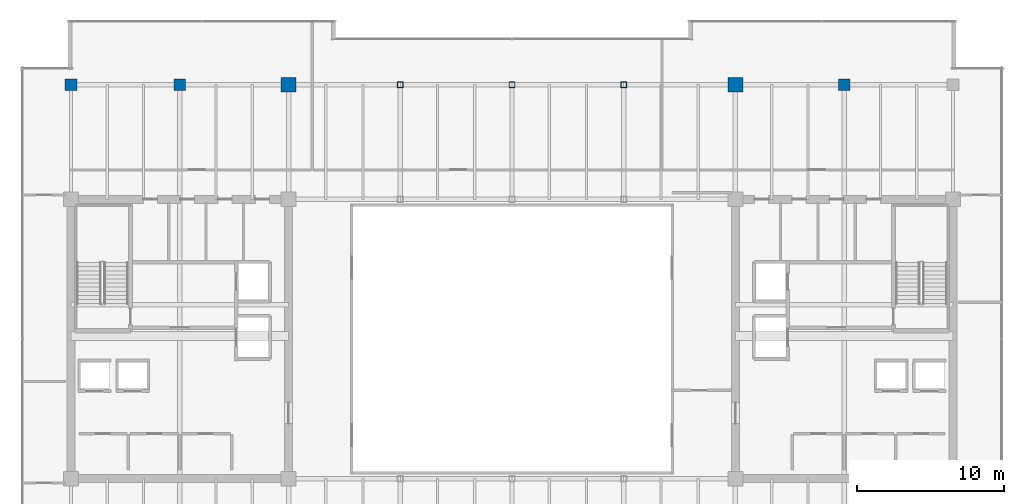
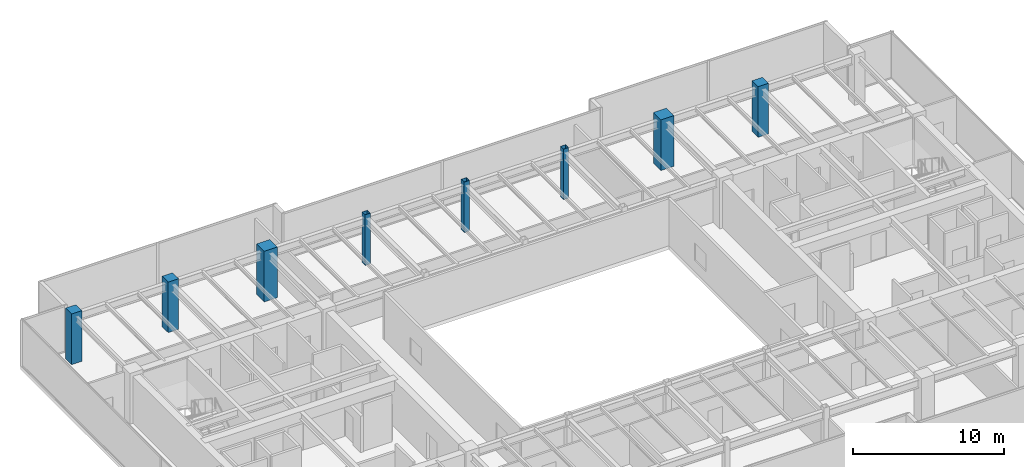
# One storey, part 3 of 33: 8 columns.
"""IFC4 building model written with IfcOpenShell, lengths in metres."""

from ifc_helpers import new_model, si_unit, direction, frame, origin, origin_2d, place, context, subcontext, project, spatial, rectangle, hollow_rectangle, extrude, source, transform, mapped, material, material_profile, profile_set, type_object, type_shapes, element, save


model = new_model("IFC4")

# Units and contexts
model_context = context("Model", 3, precision=1e-05, world=origin(), true_north=direction((0.0, 1.0)))
body_context = subcontext(model_context, "Body", "Model", "MODEL_VIEW")
ifc_project = project(units=[si_unit("LENGTHUNIT", "METRE"), si_unit("AREAUNIT", "SQUARE_METRE"), si_unit("VOLUMEUNIT", "CUBIC_METRE"), si_unit("PLANEANGLEUNIT", "RADIAN"), si_unit("MASSUNIT", "GRAM", prefix="KILO")], contexts=[model_context])

# Site, building, storey
site_placement = place(None, origin())
site = spatial("IfcSite", under=ifc_project, at=site_placement, CompositionType="ELEMENT")
building_placement = place(site_placement, origin())
building = spatial("IfcBuilding", under=site, at=building_placement, Name="Haelvirn Gate Laboratories", CompositionType="ELEMENT")
storey_placement = place(building_placement, frame((0.0, 0.0, 209.60009765625)))
storey = spatial("IfcBuildingStorey", under=building, at=storey_placement, Name="L50", CompositionType="ELEMENT", Elevation=209.60009765625)

# Columns
ifc_material_1 = material(Name="Concrete C60/75", Category="concrete")
ifc_material_profile_1 = material_profile(ifc_material_1, rectangle(XDim=1.0, YDim=1.0, at=origin_2d()), Name="RC-1000x1000")
ifc_profile_set_1 = profile_set([ifc_material_profile_1], Name="Concrete C60/75")
column_type_1 = type_object("IfcColumnType", Name="COL-RC-1000", PredefinedType="COLUMN", material=ifc_profile_set_1)
shared_shape_1 = source(origin(), body_context, "Body", "SweptSolid", [
    extrude(rectangle(XDim=1.0, YDim=1.0, at=origin_2d()), origin(), (0.0, 0.0, 1.0), 4.099853515625),
])
type_shapes(column_type_1, [shared_shape_1])
for number, where, z_axis, x_axis, name in (
    (1, (22.199951171875, 41.60009765625, 0.0), (0.0, 0.0, 1.0), (1.0, 0.0, 0.0), "L50 Column 4G"),
    (2, (52.60009765625, 41.60009765625, 0.0), (0.0, 0.0, 1.0), (1.0, 0.0, 0.0), "L50 Column 8G"),
):
    element("IfcColumn", number, at=place(storey_placement, frame(where, z_axis=z_axis, x_axis=x_axis)), inside=storey, type_object=column_type_1, Name=name, PredefinedType="COLUMN", context=body_context, shape_type="MappedRepresentation", body=[
        mapped(shared_shape_1, transform((0.0, 0.0, 0.0), scale=1.0)),
    ])
ifc_material_2 = material(Name="Concrete C50/60", Category="concrete")
ifc_material_profile_2 = material_profile(ifc_material_2, rectangle(XDim=0.800048828125, YDim=0.800048828125, at=origin_2d()), Name="RC-800x800")
ifc_profile_set_2 = profile_set([ifc_material_profile_2], Name="Concrete C50/60")
column_type_2 = type_object("IfcColumnType", Name="COL-RC-800", PredefinedType="COLUMN", material=ifc_profile_set_2)
shared_shape_2 = source(origin(), body_context, "Body", "SweptSolid", [
    extrude(rectangle(XDim=0.800048828125, YDim=0.800048828125, at=origin_2d()), origin(), (0.0, 0.0, 1.0), 4.099853515625),
])
type_shapes(column_type_2, [shared_shape_2])
for number, where, z_axis, x_axis, name in (
    (3, (14.800048828125, 41.60009765625, 0.0), (0.0, 0.0, 1.0), (1.0, 0.0, 0.0), "L50 Column 3G"),
    (4, (60.0, 41.60009765625, 0.0), (0.0, 0.0, 1.0), (1.0, 0.0, 0.0), "L50 Column 9G"),
    (5, (7.39990234375, 41.60009765625, 0.0), (0.0, 0.0, 1.0), (1.0, 0.0, 0.0), "L50 Column 2G"),
):
    element("IfcColumn", number, at=place(storey_placement, frame(where, z_axis=z_axis, x_axis=x_axis)), inside=storey, type_object=column_type_2, Name=name, PredefinedType="COLUMN", context=body_context, shape_type="MappedRepresentation", body=[
        mapped(shared_shape_2, transform((0.0, 0.0, 0.0), scale=1.0)),
    ])
ifc_material_3 = material(Name="Steel SM355", Category="steel")
ifc_material_profile_3 = material_profile(ifc_material_3, hollow_rectangle(XDim=0.39990234375, YDim=0.39990234375, WallThickness=0.01904296875, at=origin_2d()), Name="BOX-400x400x19")
ifc_profile_set_3 = profile_set([ifc_material_profile_3], Name="Steel SM355")
column_type_3 = type_object("IfcColumnType", Name="COL-BOX-400", PredefinedType="COLUMN", material=ifc_profile_set_3)
shared_shape_3 = source(origin(), body_context, "Body", "SweptSolid", [
    extrude(hollow_rectangle(XDim=0.39990234375, YDim=0.39990234375, WallThickness=0.01904296875, at=origin_2d()), origin(), (0.0, 0.0, 1.0), 4.099853515625),
])
type_shapes(column_type_3, [shared_shape_3])
for number, where, z_axis, x_axis, name in (
    (6, (29.800048828125, 41.60009765625, 0.0), (0.0, 0.0, 1.0), (1.0, 0.0, 0.0), "L50 Column 5G"),
    (7, (37.39990234375, 41.60009765625, 0.0), (0.0, 0.0, 1.0), (1.0, 0.0, 0.0), "L50 Column 6G"),
    (8, (45.0, 41.60009765625, 0.0), (0.0, 0.0, 1.0), (1.0, 0.0, 0.0), "L50 Column 7G"),
):
    element("IfcColumn", number, at=place(storey_placement, frame(where, z_axis=z_axis, x_axis=x_axis)), inside=storey, type_object=column_type_3, Name=name, PredefinedType="COLUMN", context=body_context, shape_type="MappedRepresentation", body=[
        mapped(shared_shape_3, transform((0.0, 0.0, 0.0), scale=1.0)),
    ])

save(model, "model.ifc")
